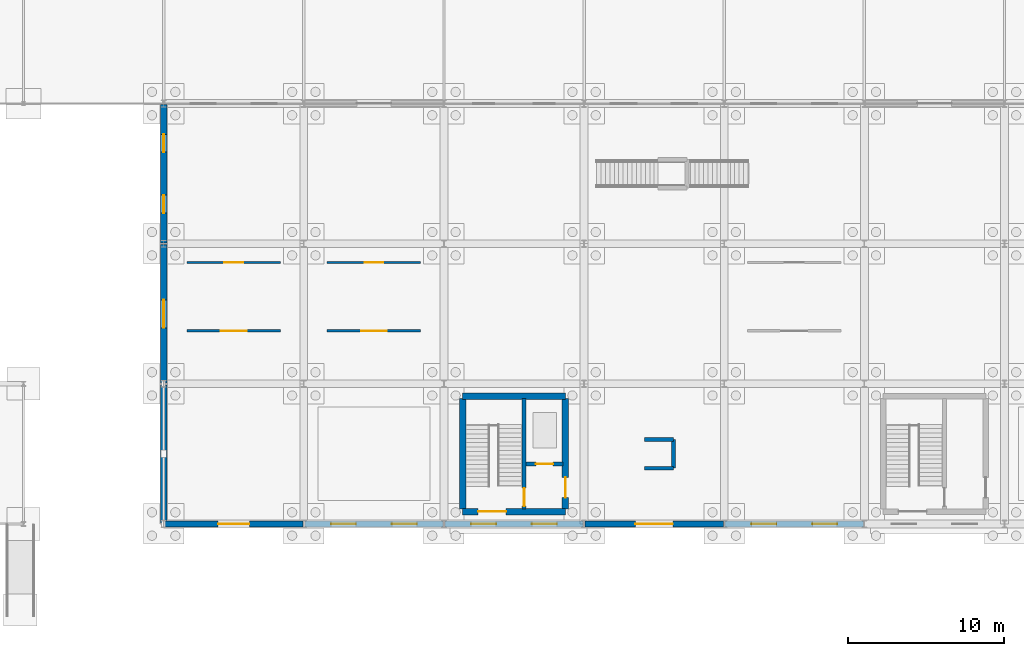
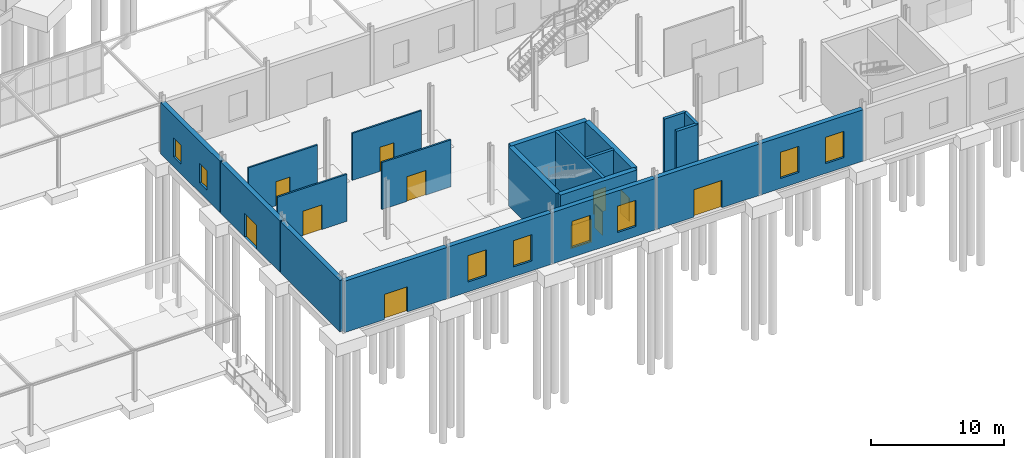
# One storey, part 90 of 118: 21 walls, 11 doors, 8 windows, 19 openings.
"""IFC4 building model written with IfcOpenShell, lengths in metres."""

from ifc_helpers import new_model, si_unit, direction, frame, frame_2d, origin, place, context, subcontext, project, spatial, rectangle, extrude, material, layer, layer_set, type_object, element, fill, save


model = new_model("IFC4")

# Units and contexts
model_context = context("Model", 3, precision=1e-05, world=origin(), true_north=direction((0.0, 1.0)))
body_context = subcontext(model_context, "Body", "Model", "MODEL_VIEW")
ifc_project = project(units=[si_unit("LENGTHUNIT", "METRE"), si_unit("AREAUNIT", "SQUARE_METRE"), si_unit("VOLUMEUNIT", "CUBIC_METRE"), si_unit("PLANEANGLEUNIT", "RADIAN"), si_unit("MASSUNIT", "GRAM", prefix="KILO")], contexts=[model_context])

# Site, building, storey
site_placement = place(None, origin())
site = spatial("IfcSite", under=ifc_project, at=site_placement, CompositionType="ELEMENT")
building_placement = place(site_placement, origin())
building = spatial("IfcBuilding", under=site, at=building_placement, Name="Kildeholm Park Wholesale Market", CompositionType="ELEMENT")
storey_placement = place(building_placement, origin())
storey = spatial("IfcBuildingStorey", under=building, at=storey_placement, Name="L00", CompositionType="ELEMENT", Elevation=0.0)

# Wall, opening, door
ifc_material_1 = material(Name="Bornholm granite stone plinth and Concrete C35/45 wall", Category="masonry")
ifc_layer_1 = layer(ifc_material_1, 0.39990234375)
ifc_layer_set_1 = layer_set([ifc_layer_1], Name="Bornholm granite stone plinth and Concrete C35/45 wall")
wall_type_1 = type_object("IfcWallType", Name="Exterior wall W-EX2 400 mm", PredefinedType="SOLIDWALL", material=ifc_layer_set_1)
wall_1_placement = place(storey_placement, frame((126.06005859375, 0.0, 0.0), z_axis=(0.0, 0.0, 1.0), x_axis=(1.0, 0.0, 0.0)))
wall_1 = element("IfcWall", 1, at=wall_1_placement, inside=storey, type_object=wall_type_1, Name="Exterior wall V5E-L00-S01.1 WL-0571", PredefinedType="SOLIDWALL", context=body_context, shape_type="SweptSolid", body=[
    extrude(rectangle(XDim=8.8798828125, YDim=0.39990234375, at=frame_2d((4.43994140625, 0.0))), origin(), (0.0, 0.0, 1.0), 4.699951171875),
])
opening_1_placement = place(wall_1_placement, frame((3.43994140625, 0.0, 0.0)))
opening_1 = element("IfcOpeningElement", 2, at=opening_1_placement, cuts=wall_1, Name="Opening D-EX02", PredefinedType="OPENING", context=body_context, shape_type="SweptSolid", body=[
    extrude(rectangle(XDim=2.0, YDim=2.300048828125, at=frame_2d((1.0, 1.14990234375))), frame((0.0, 0.2099609375, 0.0), z_axis=(0.0, -1.0, 0.0), x_axis=(1.0, 0.0, 0.0)), (0.0, 0.0, 1.0), 0.419921875),
])
ifc_material_2 = material(Name="Anodised aluminium and safety glass", Category="aluminium")
door_type_1 = type_object("IfcDoorType", Name="Exterior door D-EX02 2000x2300", OperationType="NOTDEFINED", PredefinedType="DOOR", material=ifc_material_2)
door_1_placement = place(opening_1_placement, frame((2.0, 0.0, 0.0), z_axis=(0.0, 0.0, 1.0), x_axis=(-1.0, 0.0, 0.0)))
door_1 = element("IfcDoor", 3, at=door_1_placement, inside=storey, type_object=door_type_1, Name="Door V5E-L00-S01.1 DR-0061 WL-0571", OperationType="DOUBLE_DOOR_SINGLE_SWING", OverallHeight=2.300048828125, OverallWidth=2.0, PredefinedType="DOOR", context=body_context, shape_type="SweptSolid", body=[
    extrude(rectangle(XDim=2.0, YDim=2.300048828125, at=frame_2d((1.0, 1.14990234375))), frame((0.0, 0.02490234375, 0.0), z_axis=(0.0, -1.0, 0.0), x_axis=(1.0, 0.0, 0.0)), (0.0, 0.0, 1.0), 0.050048828125),
])
fill(opening_1, door_1)

# Wall, openings, windows
wall_2_placement = place(storey_placement, frame((135.06005859375, 0.0, 0.0), z_axis=(0.0, 0.0, 1.0), x_axis=(1.0, 0.0, 0.0)))
wall_2 = element("IfcWall", 4, at=wall_2_placement, inside=storey, type_object=wall_type_1, Name="Exterior wall V5E-L00-S02.1 WL-0572", PredefinedType="SOLIDWALL", context=body_context, shape_type="SweptSolid", body=[
    extrude(rectangle(XDim=8.8798828125, YDim=0.39990234375, at=frame_2d((4.43994140625, 0.0))), origin(), (0.0, 0.0, 1.0), 4.699951171875),
])
opening_2_placement = place(wall_2_placement, frame((1.68603515625, 0.0, 0.89990234375)))
opening_2 = element("IfcOpeningElement", 5, at=opening_2_placement, cuts=wall_2, Name="Opening WN-15", PredefinedType="OPENING", context=body_context, shape_type="SweptSolid", body=[
    extrude(rectangle(XDim=1.60009765625, YDim=2.39990234375, at=frame_2d((0.800048828125, 1.199951171875))), frame((0.0, 0.2099609375, 0.0), z_axis=(0.0, -1.0, 0.0), x_axis=(1.0, 0.0, 0.0)), (0.0, 0.0, 1.0), 0.419921875),
])
opening_3_placement = place(wall_2_placement, frame((5.593994140625, 0.0, 0.89990234375)))
opening_3 = element("IfcOpeningElement", 6, at=opening_3_placement, cuts=wall_2, Name="Opening WN-15", PredefinedType="OPENING", context=body_context, shape_type="SweptSolid", body=[
    extrude(rectangle(XDim=1.60009765625, YDim=2.39990234375, at=frame_2d((0.800048828125, 1.199951171875))), frame((0.0, 0.2099609375, 0.0), z_axis=(0.0, -1.0, 0.0), x_axis=(1.0, 0.0, 0.0)), (0.0, 0.0, 1.0), 0.419921875),
])
ifc_material_3 = material(Name="Thermally broken aluminium and triple-glazed low-E glass", Category="aluminium")
window_type_1 = type_object("IfcWindowType", Name="Window WN-15 1600x2400", PartitioningType="DOUBLE_PANEL_VERTICAL", PredefinedType="WINDOW", material=ifc_material_3)
window_1_placement = place(opening_2_placement, origin())
window_1 = element("IfcWindow", 7, at=window_1_placement, inside=storey, type_object=window_type_1, Name="Window V5E-L00-S02.1.1 WIN-0352", OverallHeight=2.39990234375, OverallWidth=1.60009765625, PartitioningType="SINGLE_PANEL", PredefinedType="WINDOW", context=body_context, shape_type="SweptSolid", body=[
    extrude(rectangle(XDim=1.60009765625, YDim=2.39990234375, at=frame_2d((0.800048828125, 1.199951171875))), frame((0.0, 0.030029296875, 0.0), z_axis=(0.0, -1.0, 0.0), x_axis=(1.0, 0.0, 0.0)), (0.0, 0.0, 1.0), 0.06005859375),
])
fill(opening_2, window_1)
window_2_placement = place(opening_3_placement, origin())
window_2 = element("IfcWindow", 8, at=window_2_placement, inside=storey, type_object=window_type_1, Name="Window V5E-L00-S02.1.2 WIN-0353", OverallHeight=2.39990234375, OverallWidth=1.60009765625, PartitioningType="SINGLE_PANEL", PredefinedType="WINDOW", context=body_context, shape_type="SweptSolid", body=[
    extrude(rectangle(XDim=1.60009765625, YDim=2.39990234375, at=frame_2d((0.800048828125, 1.199951171875))), frame((0.0, 0.030029296875, 0.0), z_axis=(0.0, -1.0, 0.0), x_axis=(1.0, 0.0, 0.0)), (0.0, 0.0, 1.0), 0.06005859375),
])
fill(opening_3, window_2)

wall_3_placement = place(storey_placement, frame((144.06005859375, 0.0, 0.0), z_axis=(0.0, 0.0, 1.0), x_axis=(1.0, 0.0, 0.0)))
wall_3 = element("IfcWall", 9, at=wall_3_placement, inside=storey, type_object=wall_type_1, Name="Exterior wall V5E-L00-S03.1 WL-0573", PredefinedType="SOLIDWALL", context=body_context, shape_type="SweptSolid", body=[
    extrude(rectangle(XDim=8.8798828125, YDim=0.39990234375, at=frame_2d((4.43994140625, 0.0))), origin(), (0.0, 0.0, 1.0), 4.699951171875),
])
opening_4_placement = place(wall_3_placement, frame((1.68603515625, 0.0, 0.89990234375)))
opening_4 = element("IfcOpeningElement", 10, at=opening_4_placement, cuts=wall_3, Name="Opening WN-15", PredefinedType="OPENING", context=body_context, shape_type="SweptSolid", body=[
    extrude(rectangle(XDim=1.60009765625, YDim=2.39990234375, at=frame_2d((0.800048828125, 1.199951171875))), frame((0.0, 0.2099609375, 0.0), z_axis=(0.0, -1.0, 0.0), x_axis=(1.0, 0.0, 0.0)), (0.0, 0.0, 1.0), 0.419921875),
])
opening_5_placement = place(wall_3_placement, frame((5.593994140625, 0.0, 0.89990234375)))
opening_5 = element("IfcOpeningElement", 11, at=opening_5_placement, cuts=wall_3, Name="Opening WN-15", PredefinedType="OPENING", context=body_context, shape_type="SweptSolid", body=[
    extrude(rectangle(XDim=1.60009765625, YDim=2.39990234375, at=frame_2d((0.800048828125, 1.199951171875))), frame((0.0, 0.2099609375, 0.0), z_axis=(0.0, -1.0, 0.0), x_axis=(1.0, 0.0, 0.0)), (0.0, 0.0, 1.0), 0.419921875),
])
window_3_placement = place(opening_4_placement, origin())
window_3 = element("IfcWindow", 12, at=window_3_placement, inside=storey, type_object=window_type_1, Name="Window V5E-L00-S03.1.1 WIN-0354", OverallHeight=2.39990234375, OverallWidth=1.60009765625, PartitioningType="SINGLE_PANEL", PredefinedType="WINDOW", context=body_context, shape_type="SweptSolid", body=[
    extrude(rectangle(XDim=1.60009765625, YDim=2.39990234375, at=frame_2d((0.800048828125, 1.199951171875))), frame((0.0, 0.030029296875, 0.0), z_axis=(0.0, -1.0, 0.0), x_axis=(1.0, 0.0, 0.0)), (0.0, 0.0, 1.0), 0.06005859375),
])
fill(opening_4, window_3)
window_4_placement = place(opening_5_placement, origin())
window_4 = element("IfcWindow", 13, at=window_4_placement, inside=storey, type_object=window_type_1, Name="Window V5E-L00-S03.1.2 WIN-0355", OverallHeight=2.39990234375, OverallWidth=1.60009765625, PartitioningType="SINGLE_PANEL", PredefinedType="WINDOW", context=body_context, shape_type="SweptSolid", body=[
    extrude(rectangle(XDim=1.60009765625, YDim=2.39990234375, at=frame_2d((0.800048828125, 1.199951171875))), frame((0.0, 0.030029296875, 0.0), z_axis=(0.0, -1.0, 0.0), x_axis=(1.0, 0.0, 0.0)), (0.0, 0.0, 1.0), 0.06005859375),
])
fill(opening_5, window_4)

# Wall, opening, door
wall_4_placement = place(storey_placement, frame((153.06005859375, 0.0, 0.0), z_axis=(0.0, 0.0, 1.0), x_axis=(1.0, 0.0, 0.0)))
wall_4 = element("IfcWall", 14, at=wall_4_placement, inside=storey, type_object=wall_type_1, Name="Exterior wall V5E-L00-S04.1 WL-0574", PredefinedType="SOLIDWALL", context=body_context, shape_type="SweptSolid", body=[
    extrude(rectangle(XDim=8.8798828125, YDim=0.39990234375, at=frame_2d((4.43994140625, 0.0))), origin(), (0.0, 0.0, 1.0), 4.699951171875),
])
opening_6_placement = place(wall_4_placement, frame((3.239990234375, 0.0, 0.0)))
opening_6 = element("IfcOpeningElement", 15, at=opening_6_placement, cuts=wall_4, Name="Opening D-EX04", PredefinedType="OPENING", context=body_context, shape_type="SweptSolid", body=[
    extrude(rectangle(XDim=2.39990234375, YDim=2.5, at=frame_2d((1.199951171875, 1.25))), frame((0.0, 0.2099609375, 0.0), z_axis=(0.0, -1.0, 0.0), x_axis=(1.0, 0.0, 0.0)), (0.0, 0.0, 1.0), 0.419921875),
])
door_type_2 = type_object("IfcDoorType", Name="Exterior door D-EX04 2400x2500", OperationType="NOTDEFINED", PredefinedType="DOOR", material=ifc_material_2)
door_2_placement = place(opening_6_placement, frame((2.39990234375, 0.0, 0.0), z_axis=(0.0, 0.0, 1.0), x_axis=(-1.0, 0.0, 0.0)))
door_2 = element("IfcDoor", 16, at=door_2_placement, inside=storey, type_object=door_type_2, Name="Door V5E-L00-S04.1 DR-0062 WL-0574", OperationType="DOUBLE_DOOR_SINGLE_SWING", OverallHeight=2.5, OverallWidth=2.39990234375, PredefinedType="DOOR", context=body_context, shape_type="SweptSolid", body=[
    extrude(rectangle(XDim=2.39990234375, YDim=2.5, at=frame_2d((1.199951171875, 1.25))), frame((0.0, 0.02490234375, 0.0), z_axis=(0.0, -1.0, 0.0), x_axis=(1.0, 0.0, 0.0)), (0.0, 0.0, 1.0), 0.050048828125),
])
fill(opening_6, door_2)

# Wall, openings, windows
wall_5_placement = place(storey_placement, frame((162.06005859375, 0.0, 0.0), z_axis=(0.0, 0.0, 1.0), x_axis=(1.0, 0.0, 0.0)))
wall_5 = element("IfcWall", 17, at=wall_5_placement, inside=storey, type_object=wall_type_1, Name="Exterior wall V5E-L00-S05.1 WL-0575", PredefinedType="SOLIDWALL", context=body_context, shape_type="SweptSolid", body=[
    extrude(rectangle(XDim=8.8798828125, YDim=0.39990234375, at=frame_2d((4.43994140625, 0.0))), origin(), (0.0, 0.0, 1.0), 4.699951171875),
])
opening_7_placement = place(wall_5_placement, frame((1.68603515625, 0.0, 0.89990234375)))
opening_7 = element("IfcOpeningElement", 18, at=opening_7_placement, cuts=wall_5, Name="Opening WN-15", PredefinedType="OPENING", context=body_context, shape_type="SweptSolid", body=[
    extrude(rectangle(XDim=1.60009765625, YDim=2.39990234375, at=frame_2d((0.800048828125, 1.199951171875))), frame((0.0, 0.2099609375, 0.0), z_axis=(0.0, -1.0, 0.0), x_axis=(1.0, 0.0, 0.0)), (0.0, 0.0, 1.0), 0.419921875),
])
opening_8_placement = place(wall_5_placement, frame((5.593994140625, 0.0, 0.89990234375)))
opening_8 = element("IfcOpeningElement", 19, at=opening_8_placement, cuts=wall_5, Name="Opening WN-15", PredefinedType="OPENING", context=body_context, shape_type="SweptSolid", body=[
    extrude(rectangle(XDim=1.60009765625, YDim=2.39990234375, at=frame_2d((0.800048828125, 1.199951171875))), frame((0.0, 0.2099609375, 0.0), z_axis=(0.0, -1.0, 0.0), x_axis=(1.0, 0.0, 0.0)), (0.0, 0.0, 1.0), 0.419921875),
])
window_5_placement = place(opening_7_placement, origin())
window_5 = element("IfcWindow", 20, at=window_5_placement, inside=storey, type_object=window_type_1, Name="Window V5E-L00-S05.1.1 WIN-0356", OverallHeight=2.39990234375, OverallWidth=1.60009765625, PartitioningType="SINGLE_PANEL", PredefinedType="WINDOW", context=body_context, shape_type="SweptSolid", body=[
    extrude(rectangle(XDim=1.60009765625, YDim=2.39990234375, at=frame_2d((0.800048828125, 1.199951171875))), frame((0.0, 0.030029296875, 0.0), z_axis=(0.0, -1.0, 0.0), x_axis=(1.0, 0.0, 0.0)), (0.0, 0.0, 1.0), 0.06005859375),
])
fill(opening_7, window_5)
window_6_placement = place(opening_8_placement, origin())
window_6 = element("IfcWindow", 21, at=window_6_placement, inside=storey, type_object=window_type_1, Name="Window V5E-L00-S05.1.2 WIN-0357", OverallHeight=2.39990234375, OverallWidth=1.60009765625, PartitioningType="SINGLE_PANEL", PredefinedType="WINDOW", context=body_context, shape_type="SweptSolid", body=[
    extrude(rectangle(XDim=1.60009765625, YDim=2.39990234375, at=frame_2d((0.800048828125, 1.199951171875))), frame((0.0, 0.030029296875, 0.0), z_axis=(0.0, -1.0, 0.0), x_axis=(1.0, 0.0, 0.0)), (0.0, 0.0, 1.0), 0.06005859375),
])
fill(opening_8, window_6)

# Wall
wall_6_placement = place(storey_placement, frame((126.0, 0.06005859375, 0.0), z_axis=(0.0, 0.0, 1.0), x_axis=(0.0, 1.0, 0.0)))
element("IfcWall", 22, at=wall_6_placement, inside=storey, type_object=wall_type_1, Name="Exterior wall V5E-L00-W.1 WL-0587", PredefinedType="SOLIDWALL", context=body_context, shape_type="SweptSolid", body=[
    extrude(rectangle(XDim=8.8798828125, YDim=0.39990234375, at=frame_2d((4.43994140625, 0.0))), origin(), (0.0, 0.0, 1.0), 4.699951171875),
])

# Wall, opening, door
wall_7_placement = place(storey_placement, frame((126.0, 9.06005859375, 0.0), z_axis=(0.0, 0.0, 1.0), x_axis=(0.0, 1.0, 0.0)))
wall_7 = element("IfcWall", 23, at=wall_7_placement, inside=storey, type_object=wall_type_1, Name="Exterior wall V5E-L00-W.2 WL-0588", PredefinedType="SOLIDWALL", context=body_context, shape_type="SweptSolid", body=[
    extrude(rectangle(XDim=8.8798828125, YDim=0.39990234375, at=frame_2d((4.43994140625, 0.0))), origin(), (0.0, 0.0, 1.0), 4.699951171875),
])
opening_9_placement = place(wall_7_placement, frame((3.5400390625, 0.0, 0.0)))
opening_9 = element("IfcOpeningElement", 24, at=opening_9_placement, cuts=wall_7, Name="Opening D-EX01", PredefinedType="OPENING", context=body_context, shape_type="SweptSolid", body=[
    extrude(rectangle(XDim=1.800048828125, YDim=2.199951171875, at=frame_2d((0.89990234375, 1.10009765625))), frame((0.0, 0.2099609375, 0.0), z_axis=(0.0, -1.0, 0.0), x_axis=(1.0, 0.0, 0.0)), (0.0, 0.0, 1.0), 0.419921875),
])
door_type_3 = type_object("IfcDoorType", Name="Exterior door D-EX01 1800x2200", OperationType="NOTDEFINED", PredefinedType="DOOR", material=ifc_material_2)
door_3_placement = place(opening_9_placement, origin())
door_3 = element("IfcDoor", 25, at=door_3_placement, inside=storey, type_object=door_type_3, Name="Door V5E-L00-W.2 DR-0066 WL-0588", OperationType="DOUBLE_DOOR_SINGLE_SWING", OverallHeight=2.199951171875, OverallWidth=1.800048828125, PredefinedType="DOOR", context=body_context, shape_type="SweptSolid", body=[
    extrude(rectangle(XDim=1.800048828125, YDim=2.199951171875, at=frame_2d((0.89990234375, 1.10009765625))), frame((0.0, 0.02490234375, 0.0), z_axis=(0.0, -1.0, 0.0), x_axis=(1.0, 0.0, 0.0)), (0.0, 0.0, 1.0), 0.050048828125),
])
fill(opening_9, door_3)

# Wall, openings, windows
wall_8_placement = place(storey_placement, frame((126.0, 18.06005859375, 0.0), z_axis=(0.0, 0.0, 1.0), x_axis=(0.0, 1.0, 0.0)))
wall_8 = element("IfcWall", 26, at=wall_8_placement, inside=storey, type_object=wall_type_1, Name="Exterior wall V5E-L00-W.3 WL-0589", PredefinedType="SOLIDWALL", context=body_context, shape_type="SweptSolid", body=[
    extrude(rectangle(XDim=8.8798828125, YDim=0.39990234375, at=frame_2d((4.43994140625, 0.0))), origin(), (0.0, 0.0, 1.0), 4.699951171875),
])
opening_10_placement = place(wall_8_placement, frame((1.910888671875, 0.0, 0.89990234375)))
opening_10 = element("IfcOpeningElement", 27, at=opening_10_placement, cuts=wall_8, Name="Opening WN-27", PredefinedType="OPENING", context=body_context, shape_type="SweptSolid", body=[
    extrude(rectangle(XDim=1.14990234375, YDim=1.75, at=frame_2d((0.574951171875, 0.875))), frame((0.0, 0.2099609375, 0.0), z_axis=(0.0, -1.0, 0.0), x_axis=(1.0, 0.0, 0.0)), (0.0, 0.0, 1.0), 0.419921875),
])
opening_11_placement = place(wall_8_placement, frame((5.819091796875, 0.0, 0.89990234375)))
opening_11 = element("IfcOpeningElement", 28, at=opening_11_placement, cuts=wall_8, Name="Opening WN-27", PredefinedType="OPENING", context=body_context, shape_type="SweptSolid", body=[
    extrude(rectangle(XDim=1.14990234375, YDim=1.75, at=frame_2d((0.574951171875, 0.875))), frame((0.0, 0.2099609375, 0.0), z_axis=(0.0, -1.0, 0.0), x_axis=(1.0, 0.0, 0.0)), (0.0, 0.0, 1.0), 0.419921875),
])
window_type_2 = type_object("IfcWindowType", Name="Window WN-27 1150x1750", PartitioningType="SINGLE_PANEL", PredefinedType="WINDOW", material=ifc_material_3)
window_7_placement = place(opening_10_placement, origin())
window_7 = element("IfcWindow", 29, at=window_7_placement, inside=storey, type_object=window_type_2, Name="Window V5E-L00-W.3.1 WIN-0374", OverallHeight=1.75, OverallWidth=1.14990234375, PartitioningType="SINGLE_PANEL", PredefinedType="WINDOW", context=body_context, shape_type="SweptSolid", body=[
    extrude(rectangle(XDim=1.14990234375, YDim=1.75, at=frame_2d((0.574951171875, 0.875))), frame((0.0, 0.030029296875, 0.0), z_axis=(0.0, -1.0, 0.0), x_axis=(1.0, 0.0, 0.0)), (0.0, 0.0, 1.0), 0.06005859375),
])
fill(opening_10, window_7)
window_8_placement = place(opening_11_placement, origin())
window_8 = element("IfcWindow", 30, at=window_8_placement, inside=storey, type_object=window_type_2, Name="Window V5E-L00-W.3.2 WIN-0375", OverallHeight=1.75, OverallWidth=1.14990234375, PartitioningType="SINGLE_PANEL", PredefinedType="WINDOW", context=body_context, shape_type="SweptSolid", body=[
    extrude(rectangle(XDim=1.14990234375, YDim=1.75, at=frame_2d((0.574951171875, 0.875))), frame((0.0, 0.030029296875, 0.0), z_axis=(0.0, -1.0, 0.0), x_axis=(1.0, 0.0, 0.0)), (0.0, 0.0, 1.0), 0.06005859375),
])
fill(opening_11, window_8)

# Wall, opening, door
ifc_material_4 = material(Name="Double-board acoustic laboratory partition")
ifc_layer_2 = layer(ifc_material_4, 0.139892578125)
ifc_layer_set_2 = layer_set([ifc_layer_2], Name="Double-board acoustic laboratory partition")
wall_type_2 = type_object("IfcWallType", Name="Partition W-PT03 140 mm", PredefinedType="PARTITIONING", material=ifc_layer_set_2)
wall_9_placement = place(storey_placement, frame((127.5, 16.800048828125, 0.0), z_axis=(0.0, 0.0, 1.0), x_axis=(1.0, 0.0, 0.0)))
wall_9 = element("IfcWall", 31, at=wall_9_placement, inside=storey, type_object=wall_type_2, Name="Interior partition W-V5E-L00-CN1 WL-1027", PredefinedType="PARTITIONING", context=body_context, shape_type="SweptSolid", body=[
    extrude(rectangle(XDim=6.0, YDim=0.139892578125, at=frame_2d((3.0, 0.0))), origin(), (0.0, 0.0, 1.0), 4.300048828125),
])
opening_12_placement = place(wall_9_placement, frame((2.39990234375, 0.0, 0.0)))
opening_12 = element("IfcOpeningElement", 32, at=opening_12_placement, cuts=wall_9, Name="Opening D-IN11", PredefinedType="OPENING", context=body_context, shape_type="SweptSolid", body=[
    extrude(rectangle(XDim=1.199951171875, YDim=2.199951171875, at=frame_2d((0.60009765625, 1.10009765625))), frame((0.0, 0.079833984375, 0.0), z_axis=(0.0, -1.0, 0.0), x_axis=(1.0, 0.0, 0.0)), (0.0, 0.0, 1.0), 0.159912109375),
])
ifc_material_5 = material(Name="Culinary workshop glazed doorset")
door_type_4 = type_object("IfcDoorType", Name="Interior door D-IN11 1200x2200", OperationType="NOTDEFINED", PredefinedType="DOOR", material=ifc_material_5)
door_4_placement = place(opening_12_placement, origin())
door_4 = element("IfcDoor", 33, at=door_4_placement, inside=storey, type_object=door_type_4, Name="Interior door V5E-L00-CN1 DR-0302 WL-1027", OperationType="SINGLE_SWING_RIGHT", OverallHeight=2.199951171875, OverallWidth=1.199951171875, PredefinedType="DOOR", context=body_context, shape_type="SweptSolid", body=[
    extrude(rectangle(XDim=1.199951171875, YDim=2.199951171875, at=frame_2d((0.60009765625, 1.10009765625))), frame((0.0, 0.02490234375, 0.0), z_axis=(0.0, -1.0, 0.0), x_axis=(1.0, 0.0, 0.0)), (0.0, 0.0, 1.0), 0.050048828125),
])
fill(opening_12, door_4)

wall_10_placement = place(storey_placement, frame((136.5, 16.800048828125, 0.0), z_axis=(0.0, 0.0, 1.0), x_axis=(1.0, 0.0, 0.0)))
wall_10 = element("IfcWall", 34, at=wall_10_placement, inside=storey, type_object=wall_type_2, Name="Interior partition W-V5E-L00-CN2 WL-1029", PredefinedType="PARTITIONING", context=body_context, shape_type="SweptSolid", body=[
    extrude(rectangle(XDim=6.0, YDim=0.139892578125, at=frame_2d((3.0, 0.0))), origin(), (0.0, 0.0, 1.0), 4.300048828125),
])
opening_13_placement = place(wall_10_placement, frame((2.39990234375, 0.0, 0.0)))
opening_13 = element("IfcOpeningElement", 35, at=opening_13_placement, cuts=wall_10, Name="Opening D-IN11", PredefinedType="OPENING", context=body_context, shape_type="SweptSolid", body=[
    extrude(rectangle(XDim=1.199951171875, YDim=2.199951171875, at=frame_2d((0.60009765625, 1.10009765625))), frame((0.0, 0.079833984375, 0.0), z_axis=(0.0, -1.0, 0.0), x_axis=(1.0, 0.0, 0.0)), (0.0, 0.0, 1.0), 0.159912109375),
])
door_5_placement = place(opening_13_placement, origin())
door_5 = element("IfcDoor", 36, at=door_5_placement, inside=storey, type_object=door_type_4, Name="Interior door V5E-L00-CN2 DR-0304 WL-1029", OperationType="SINGLE_SWING_RIGHT", OverallHeight=2.199951171875, OverallWidth=1.199951171875, PredefinedType="DOOR", context=body_context, shape_type="SweptSolid", body=[
    extrude(rectangle(XDim=1.199951171875, YDim=2.199951171875, at=frame_2d((0.60009765625, 1.10009765625))), frame((0.0, 0.02490234375, 0.0), z_axis=(0.0, -1.0, 0.0), x_axis=(1.0, 0.0, 0.0)), (0.0, 0.0, 1.0), 0.050048828125),
])
fill(opening_13, door_5)

ifc_material_6 = material(Name="Fire-rated corridor and lobby partition")
ifc_layer_3 = layer(ifc_material_6, 0.14990234375)
ifc_layer_set_3 = layer_set([ifc_layer_3], Name="Fire-rated corridor and lobby partition")
wall_type_3 = type_object("IfcWallType", Name="Partition W-PT04 150 mm", PredefinedType="PARTITIONING", material=ifc_layer_set_3)
wall_11_placement = place(storey_placement, frame((127.5, 12.39990234375, 0.0), z_axis=(0.0, 0.0, 1.0), x_axis=(1.0, 0.0, 0.0)))
wall_11 = element("IfcWall", 37, at=wall_11_placement, inside=storey, type_object=wall_type_3, Name="Interior partition W-V5E-L00-CS1 WL-1026", PredefinedType="PARTITIONING", context=body_context, shape_type="SweptSolid", body=[
    extrude(rectangle(XDim=6.0, YDim=0.14990234375, at=frame_2d((3.0, 0.0))), origin(), (0.0, 0.0, 1.0), 4.300048828125),
])
opening_14_placement = place(wall_11_placement, frame((2.175048828125, 0.0, 0.0)))
opening_14 = element("IfcOpeningElement", 38, at=opening_14_placement, cuts=wall_11, Name="Opening D-IN06", PredefinedType="OPENING", context=body_context, shape_type="SweptSolid", body=[
    extrude(rectangle(XDim=1.64990234375, YDim=2.25, at=frame_2d((0.824951171875, 1.125))), frame((0.0, 0.0849609375, 0.0), z_axis=(0.0, -1.0, 0.0), x_axis=(1.0, 0.0, 0.0)), (0.0, 0.0, 1.0), 0.169921875),
])
ifc_material_7 = material(Name="Double-leaf auction and community hall doorset")
door_type_5 = type_object("IfcDoorType", Name="Interior door D-IN06 1650x2250", OperationType="NOTDEFINED", PredefinedType="DOOR", material=ifc_material_7)
door_6_placement = place(opening_14_placement, origin())
door_6 = element("IfcDoor", 39, at=door_6_placement, inside=storey, type_object=door_type_5, Name="Interior door V5E-L00-CS1 DR-0301 WL-1026", OperationType="DOUBLE_DOOR_SINGLE_SWING", OverallHeight=2.25, OverallWidth=1.64990234375, PredefinedType="DOOR", context=body_context, shape_type="SweptSolid", body=[
    extrude(rectangle(XDim=1.64990234375, YDim=2.25, at=frame_2d((0.824951171875, 1.125))), frame((0.0, 0.02490234375, 0.0), z_axis=(0.0, -1.0, 0.0), x_axis=(1.0, 0.0, 0.0)), (0.0, 0.0, 1.0), 0.050048828125),
])
fill(opening_14, door_6)

wall_12_placement = place(storey_placement, frame((136.5, 12.39990234375, 0.0), z_axis=(0.0, 0.0, 1.0), x_axis=(1.0, 0.0, 0.0)))
wall_12 = element("IfcWall", 40, at=wall_12_placement, inside=storey, type_object=wall_type_3, Name="Interior partition W-V5E-L00-CS2 WL-1028", PredefinedType="PARTITIONING", context=body_context, shape_type="SweptSolid", body=[
    extrude(rectangle(XDim=6.0, YDim=0.14990234375, at=frame_2d((3.0, 0.0))), origin(), (0.0, 0.0, 1.0), 4.300048828125),
])
opening_15_placement = place(wall_12_placement, frame((2.175048828125, 0.0, 0.0)))
opening_15 = element("IfcOpeningElement", 41, at=opening_15_placement, cuts=wall_12, Name="Opening D-IN06", PredefinedType="OPENING", context=body_context, shape_type="SweptSolid", body=[
    extrude(rectangle(XDim=1.64990234375, YDim=2.25, at=frame_2d((0.824951171875, 1.125))), frame((0.0, 0.0849609375, 0.0), z_axis=(0.0, -1.0, 0.0), x_axis=(1.0, 0.0, 0.0)), (0.0, 0.0, 1.0), 0.169921875),
])
door_7_placement = place(opening_15_placement, origin())
door_7 = element("IfcDoor", 42, at=door_7_placement, inside=storey, type_object=door_type_5, Name="Interior door V5E-L00-CS2 DR-0303 WL-1028", OperationType="DOUBLE_DOOR_SINGLE_SWING", OverallHeight=2.25, OverallWidth=1.64990234375, PredefinedType="DOOR", context=body_context, shape_type="SweptSolid", body=[
    extrude(rectangle(XDim=1.64990234375, YDim=2.25, at=frame_2d((0.824951171875, 1.125))), frame((0.0, 0.02490234375, 0.0), z_axis=(0.0, -1.0, 0.0), x_axis=(1.0, 0.0, 0.0)), (0.0, 0.0, 1.0), 0.050048828125),
])
fill(opening_15, door_7)

ifc_material_8 = material(Name="Concrete C40/50", Category="concrete")
ifc_layer_4 = layer(ifc_material_8, 0.25)
ifc_layer_set_4 = layer_set([ifc_layer_4], Name="Concrete C40/50")
wall_type_4 = type_object("IfcWallType", Name="Shear wall W-SH2 250 mm", PredefinedType="SHEAR", material=ifc_layer_set_4)
wall_13_placement = place(storey_placement, frame((149.14990234375, 0.949951171875, 0.0), z_axis=(0.0, 0.0, 1.0), x_axis=(0.0, 1.0, 0.0)))
wall_13 = element("IfcWall", 43, at=wall_13_placement, inside=storey, type_object=wall_type_4, Name="Core C06 shaft wall L00 WL-0752", PredefinedType="SHEAR", context=body_context, shape_type="SweptSolid", body=[
    extrude(rectangle(XDim=7.10009765625, YDim=0.25, at=frame_2d((3.550048828125, 0.0))), origin(), (0.0, 0.0, 1.0), 5.39990234375),
])
opening_16_placement = place(wall_13_placement, frame((0.199951171875, 0.0, 0.0)))
opening_16 = element("IfcOpeningElement", 44, at=opening_16_placement, cuts=wall_13, Name="Opening D-CR01", PredefinedType="OPENING", context=body_context, shape_type="SweptSolid", body=[
    extrude(rectangle(XDim=1.14990234375, YDim=2.14990234375, at=frame_2d((0.574951171875, 1.074951171875))), frame((0.0, 0.135009765625, 0.0), z_axis=(0.0, -1.0, 0.0), x_axis=(1.0, 0.0, 0.0)), (0.0, 0.0, 1.0), 0.27001953125),
])
ifc_material_9 = material(Name="Painted steel fire escape doorset", Category="steel")
door_type_6 = type_object("IfcDoorType", Name="Interior door D-CR01 1150x2150", OperationType="NOTDEFINED", PredefinedType="DOOR", material=ifc_material_9)
door_8_placement = place(opening_16_placement, origin())
door_8 = element("IfcDoor", 45, at=door_8_placement, inside=storey, type_object=door_type_6, Name="Core C06 stair fire door L00 DR-0125 WL-0752", OperationType="SINGLE_SWING_LEFT", OverallHeight=2.14990234375, OverallWidth=1.14990234375, PredefinedType="DOOR", context=body_context, shape_type="SweptSolid", body=[
    extrude(rectangle(XDim=1.14990234375, YDim=2.14990234375, at=frame_2d((0.574951171875, 1.074951171875))), frame((0.0, 0.02490234375, 0.0), z_axis=(0.0, -1.0, 0.0), x_axis=(1.0, 0.0, 0.0)), (0.0, 0.0, 1.0), 0.050048828125),
])
fill(opening_16, door_8)

wall_14_placement = place(storey_placement, frame((149.27001953125, 3.85009765625, 0.0), z_axis=(0.0, 0.0, 1.0), x_axis=(1.0, 0.0, 0.0)))
wall_14 = element("IfcWall", 46, at=wall_14_placement, inside=storey, type_object=wall_type_4, Name="Lift LF-02 shaft front wall L00 WL-0753", PredefinedType="SHEAR", context=body_context, shape_type="SweptSolid", body=[
    extrude(rectangle(XDim=2.3798828125, YDim=0.25, at=frame_2d((1.18994140625, 0.0))), origin(), (0.0, 0.0, 1.0), 5.39990234375),
])
opening_17_placement = place(wall_14_placement, frame((0.639892578125, 0.0, 0.0)))
opening_17 = element("IfcOpeningElement", 47, at=opening_17_placement, cuts=wall_14, Name="Opening LD-02", PredefinedType="OPENING", context=body_context, shape_type="SweptSolid", body=[
    extrude(rectangle(XDim=1.10009765625, YDim=2.14990234375, at=frame_2d((0.550048828125, 1.074951171875))), frame((0.0, 0.135009765625, 0.0), z_axis=(0.0, -1.0, 0.0), x_axis=(1.0, 0.0, 0.0)), (0.0, 0.0, 1.0), 0.27001953125),
])
ifc_material_10 = material(Name="Stainless steel AISI 316 passenger lift landing door", Category="steel")
door_type_7 = type_object("IfcDoorType", Name="Interior door D-LD01 1100x2150", OperationType="NOTDEFINED", PredefinedType="DOOR", material=ifc_material_10)
door_9_placement = place(opening_17_placement, origin())
door_9 = element("IfcDoor", 48, at=door_9_placement, inside=storey, type_object=door_type_7, Name="Lift LF-02 sliding landing door L00 DR-0127 WL-0753", OperationType="SLIDING_TO_LEFT", OverallHeight=2.14990234375, OverallWidth=1.10009765625, PredefinedType="DOOR", context=body_context, shape_type="SweptSolid", body=[
    extrude(rectangle(XDim=1.10009765625, YDim=2.14990234375, at=frame_2d((0.550048828125, 1.074951171875))), frame((0.0, 0.02490234375, 0.0), z_axis=(0.0, -1.0, 0.0), x_axis=(1.0, 0.0, 0.0)), (0.0, 0.0, 1.0), 0.050048828125),
])
fill(opening_17, door_9)

# Walls
for number, where, z_axis, x_axis, name in (
    (49, (156.89501953125, 3.580078125, 0.0), (0.0, 0.0, 1.0), (1.0, 0.0, 0.0), "Feature stair lower pier wall ST-FT05-S WL-0928"),
    (50, (156.89501953125, 5.419921875, 0.0), (0.0, 0.0, 1.0), (1.0, 0.0, 0.0), "Feature stair lower pier wall ST-FT05-N WL-0930"),
):
    element("IfcWall", number, at=place(storey_placement, frame(where, z_axis=z_axis, x_axis=x_axis)), inside=storey, type_object=wall_type_4, Name=name, PredefinedType="SHEAR", context=body_context, shape_type="SweptSolid", body=[
        extrude(rectangle(XDim=1.85009765625, YDim=0.25, at=frame_2d((0.925048828125, 0.0))), origin(), (0.0, 0.0, 1.0), 5.39990234375),
    ])
wall_15_placement = place(storey_placement, frame((158.7451171875, 3.580078125, 0.0), z_axis=(0.0, 0.0, 1.0), x_axis=(0.0, 1.0, 0.0)))
element("IfcWall", 51, at=wall_15_placement, inside=storey, type_object=wall_type_4, Name="Feature stair lower cross pier ST-FT05 WL-0932", PredefinedType="SHEAR", context=body_context, shape_type="SweptSolid", body=[
    extrude(rectangle(XDim=1.83984375, YDim=0.25, at=frame_2d((0.919921875, 0.0))), origin(), (0.0, 0.0, 1.0), 5.39990234375),
])

# Wall, opening, door
ifc_layer_5 = layer(ifc_material_8, 0.419921875)
ifc_layer_set_5 = layer_set([ifc_layer_5], Name="Concrete C40/50")
wall_type_5 = type_object("IfcWallType", Name="Shear wall W-SH4 420 mm", PredefinedType="SHEAR", material=ifc_layer_set_5)
wall_16_placement = place(storey_placement, frame((145.199951171875, 0.800048828125, 0.0), z_axis=(0.0, 0.0, 1.0), x_axis=(1.0, 0.0, 0.0)))
wall_16 = element("IfcWall", 52, at=wall_16_placement, inside=storey, type_object=wall_type_5, Name="Core C06 south shear wall L00 WL-0748", PredefinedType="SHEAR", context=body_context, shape_type="SweptSolid", body=[
    extrude(rectangle(XDim=6.60009765625, YDim=0.419921875, at=frame_2d((3.300048828125, 0.0))), origin(), (0.0, 0.0, 1.0), 5.39990234375),
])
opening_18_placement = place(wall_16_placement, frame((1.0, 0.0, 0.0)))
opening_18 = element("IfcOpeningElement", 53, at=opening_18_placement, cuts=wall_16, Name="Opening D-EX05", PredefinedType="OPENING", context=body_context, shape_type="SweptSolid", body=[
    extrude(rectangle(XDim=1.800048828125, YDim=2.14990234375, at=frame_2d((0.89990234375, 1.074951171875))), frame((0.0, 0.219970703125, 0.0), z_axis=(0.0, -1.0, 0.0), x_axis=(1.0, 0.0, 0.0)), (0.0, 0.0, 1.0), 0.43994140625),
])
ifc_material_11 = material(Name="Painted galvanized steel escape doorset", Category="steel")
door_type_8 = type_object("IfcDoorType", Name="Exterior door D-EX05 1800x2150", OperationType="NOTDEFINED", PredefinedType="DOOR", material=ifc_material_11)
door_10_placement = place(opening_18_placement, frame((1.800048828125, 0.0, 0.0), z_axis=(0.0, 0.0, 1.0), x_axis=(-1.0, 0.0, 0.0)))
door_10 = element("IfcDoor", 54, at=door_10_placement, inside=storey, type_object=door_type_8, Name="Core C06 grade stair discharge door DR-0126 WL-0748", OperationType="DOUBLE_DOOR_SINGLE_SWING", OverallHeight=2.14990234375, OverallWidth=1.800048828125, PredefinedType="DOOR", context=body_context, shape_type="SweptSolid", body=[
    extrude(rectangle(XDim=1.800048828125, YDim=2.14990234375, at=frame_2d((0.89990234375, 1.074951171875))), frame((0.0, 0.02490234375, 0.0), z_axis=(0.0, -1.0, 0.0), x_axis=(1.0, 0.0, 0.0)), (0.0, 0.0, 1.0), 0.050048828125),
])
fill(opening_18, door_10)

# Walls
wall_17_placement = place(storey_placement, frame((145.199951171875, 8.199951171875, 0.0), z_axis=(0.0, 0.0, 1.0), x_axis=(1.0, 0.0, 0.0)))
element("IfcWall", 55, at=wall_17_placement, inside=storey, type_object=wall_type_5, Name="Core C06 north shear wall L00 WL-0749", PredefinedType="SHEAR", context=body_context, shape_type="SweptSolid", body=[
    extrude(rectangle(XDim=6.60009765625, YDim=0.419921875, at=frame_2d((3.300048828125, 0.0))), origin(), (0.0, 0.0, 1.0), 5.39990234375),
])
wall_18_placement = place(storey_placement, frame((145.199951171875, 0.949951171875, 0.0), z_axis=(0.0, 0.0, 1.0), x_axis=(0.0, 1.0, 0.0)))
element("IfcWall", 56, at=wall_18_placement, inside=storey, type_object=wall_type_5, Name="Core C06 west shear wall L00 WL-0750", PredefinedType="SHEAR", context=body_context, shape_type="SweptSolid", body=[
    extrude(rectangle(XDim=7.10009765625, YDim=0.419921875, at=frame_2d((3.550048828125, 0.0))), origin(), (0.0, 0.0, 1.0), 5.39990234375),
])

# Wall, opening, door
wall_19_placement = place(storey_placement, frame((151.800048828125, 0.949951171875, 0.0), z_axis=(0.0, 0.0, 1.0), x_axis=(0.0, 1.0, 0.0)))
wall_19 = element("IfcWall", 57, at=wall_19_placement, inside=storey, type_object=wall_type_5, Name="Core C06 east shear wall L00 WL-0751", PredefinedType="SHEAR", context=body_context, shape_type="SweptSolid", body=[
    extrude(rectangle(XDim=7.10009765625, YDim=0.419921875, at=frame_2d((3.550048828125, 0.0))), origin(), (0.0, 0.0, 1.0), 5.39990234375),
])
opening_19_placement = place(wall_19_placement, frame((0.75, 0.0, 0.0)))
opening_19 = element("IfcOpeningElement", 58, at=opening_19_placement, cuts=wall_19, Name="Opening D-CR02", PredefinedType="OPENING", context=body_context, shape_type="SweptSolid", body=[
    extrude(rectangle(XDim=1.300048828125, YDim=2.14990234375, at=frame_2d((0.64990234375, 1.074951171875))), frame((0.0, 0.219970703125, 0.0), z_axis=(0.0, -1.0, 0.0), x_axis=(1.0, 0.0, 0.0)), (0.0, 0.0, 1.0), 0.43994140625),
])
ifc_material_12 = material(Name="Painted steel core lobby double-leaf doorset", Category="steel")
door_type_9 = type_object("IfcDoorType", Name="Interior door D-CR02 1300x2150", OperationType="NOTDEFINED", PredefinedType="DOOR", material=ifc_material_12)
door_11_placement = place(opening_19_placement, frame((1.300048828125, 0.0, 0.0), z_axis=(0.0, 0.0, 1.0), x_axis=(-1.0, 0.0, 0.0)))
door_11 = element("IfcDoor", 59, at=door_11_placement, inside=storey, type_object=door_type_9, Name="Core C06 lobby entrance door L00 DR-0124 WL-0751", OperationType="DOUBLE_DOOR_SINGLE_SWING", OverallHeight=2.14990234375, OverallWidth=1.300048828125, PredefinedType="DOOR", context=body_context, shape_type="SweptSolid", body=[
    extrude(rectangle(XDim=1.300048828125, YDim=2.14990234375, at=frame_2d((0.64990234375, 1.074951171875))), frame((0.0, 0.02490234375, 0.0), z_axis=(0.0, -1.0, 0.0), x_axis=(1.0, 0.0, 0.0)), (0.0, 0.0, 1.0), 0.050048828125),
])
fill(opening_19, door_11)

save(model, "model.ifc")
